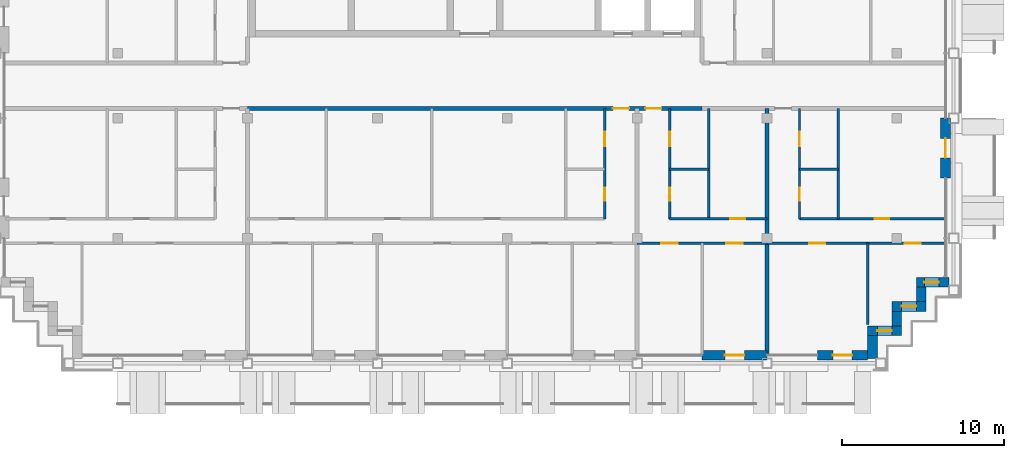
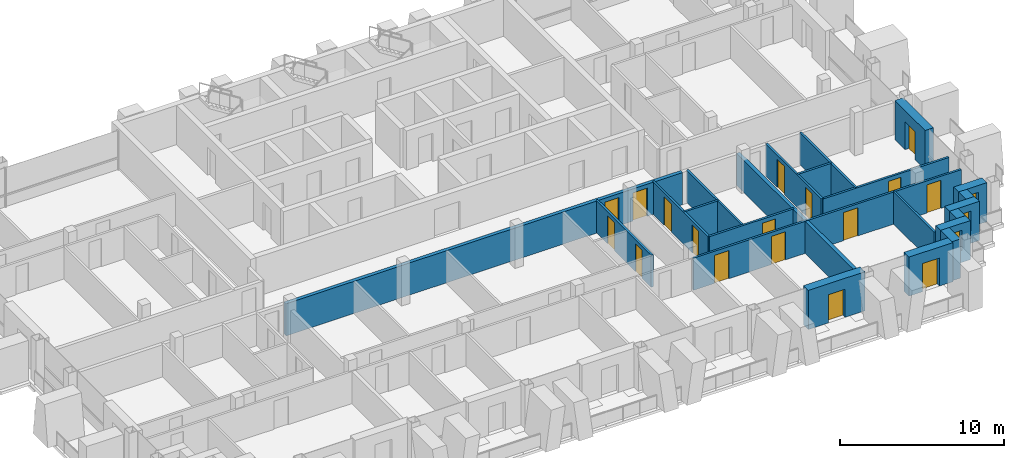
# One storey, part 9 of 15: 23 walls, 17 doors, 3 windows, 20 openings.
"""IFC4 building model written with IfcOpenShell, lengths in metres."""

from ifc_helpers import new_model, si_unit, direction, frame, frame_2d, origin, place, context, subcontext, project, spatial, rectangle, extrude, material, layer, layer_set, type_object, element, fill, save


model = new_model("IFC4")

# Units and contexts
model_context = context("Model", 3, precision=1e-05, world=origin(), true_north=direction((0.0, 1.0)))
body_context = subcontext(model_context, "Body", "Model", "MODEL_VIEW")
ifc_project = project(units=[si_unit("LENGTHUNIT", "METRE"), si_unit("AREAUNIT", "SQUARE_METRE"), si_unit("VOLUMEUNIT", "CUBIC_METRE"), si_unit("PLANEANGLEUNIT", "RADIAN"), si_unit("MASSUNIT", "GRAM", prefix="KILO")], contexts=[model_context])

# Site, building, storey
site_placement = place(None, origin())
site = spatial("IfcSite", under=ifc_project, at=site_placement, CompositionType="ELEMENT")
building_placement = place(site_placement, origin())
building = spatial("IfcBuilding", under=site, at=building_placement, Name="Vidyagriha Tower", CompositionType="ELEMENT")
storey_placement = place(building_placement, frame((0.0, 0.0, 214.0)))
storey = spatial("IfcBuildingStorey", under=building, at=storey_placement, Name="L55", CompositionType="ELEMENT", Elevation=214.0)

# Wall, opening, door
ifc_material_1 = material(Name="Precast concrete C40/50 with brick facing", Category="concrete")
ifc_layer_1 = layer(ifc_material_1, 0.60009765625)
ifc_layer_set_1 = layer_set([ifc_layer_1], Name="Precast concrete C40/50 with brick facing")
wall_type_1 = type_object("IfcWallType", Name="Brick-faced precast wall 600", PredefinedType="STANDARD", material=ifc_layer_set_1)
wall_1_placement = place(storey_placement, frame((14.0, -16.60009765625, 0.0)))
wall_1 = element("IfcWall", 1, at=wall_1_placement, inside=storey, type_object=wall_type_1, Name="Brick door bay wall L55 R23.11", PredefinedType="STANDARD", context=body_context, shape_type="SweptSolid", body=[
    extrude(rectangle(XDim=4.0, YDim=0.60009765625, at=frame_2d((2.0, 0.0))), origin(), (0.0, 0.0, 1.0), 2.919921875),
])
opening_1_placement = place(wall_1_placement, frame((1.39990234375, 0.0, 0.0)))
opening_1 = element("IfcOpeningElement", 2, at=opening_1_placement, cuts=wall_1, Name="Opening D55-66", PredefinedType="OPENING", context=body_context, shape_type="SweptSolid", body=[
    extrude(rectangle(XDim=1.199951171875, YDim=2.10009765625, at=frame_2d((0.60009765625, 1.050048828125))), frame((0.0, 0.31005859375, 0.0), z_axis=(0.0, -1.0, 0.0), x_axis=(1.0, 0.0, 0.0)), (0.0, 0.0, 1.0), 0.6201171875),
])
ifc_material_2 = material(Name="Aluminium framed glazed sliding door", Category="aluminium")
door_type_1 = type_object("IfcDoorType", Name="Balcony sliding door 1200x2100", OperationType="NOTDEFINED", PredefinedType="DOOR", material=ifc_material_2)
door_1_placement = place(opening_1_placement, origin())
door_1 = element("IfcDoor", 3, at=door_1_placement, inside=storey, type_object=door_type_1, Name="Door D55-66", OperationType="SLIDING_TO_LEFT", OverallHeight=2.10009765625, OverallWidth=1.199951171875, PredefinedType="DOOR", context=body_context, shape_type="SweptSolid", body=[
    extrude(rectangle(XDim=1.199951171875, YDim=2.10009765625, at=frame_2d((0.60009765625, 1.050048828125))), frame((0.0, 0.02490234375, 0.0), z_axis=(0.0, -1.0, 0.0), x_axis=(1.0, 0.0, 0.0)), (0.0, 0.0, 1.0), 0.050048828125),
])
fill(opening_1, door_1)

wall_2_placement = place(storey_placement, frame((21.10009765625, -16.60009765625, 0.0)))
wall_2 = element("IfcWall", 4, at=wall_2_placement, inside=storey, type_object=wall_type_1, Name="Brick door bay wall L55 R23.13", PredefinedType="STANDARD", context=body_context, shape_type="SweptSolid", body=[
    extrude(rectangle(XDim=3.099853515625, YDim=0.60009765625, at=frame_2d((1.5498046875, 0.0))), origin(), (0.0, 0.0, 1.0), 2.919921875),
])
opening_2_placement = place(wall_2_placement, frame((0.949951171875, 0.0, 0.0)))
opening_2 = element("IfcOpeningElement", 5, at=opening_2_placement, cuts=wall_2, Name="Opening D55-67", PredefinedType="OPENING", context=body_context, shape_type="SweptSolid", body=[
    extrude(rectangle(XDim=1.199951171875, YDim=2.10009765625, at=frame_2d((0.60009765625, 1.050048828125))), frame((0.0, 0.31005859375, 0.0), z_axis=(0.0, -1.0, 0.0), x_axis=(1.0, 0.0, 0.0)), (0.0, 0.0, 1.0), 0.6201171875),
])
door_2_placement = place(opening_2_placement, origin())
door_2 = element("IfcDoor", 6, at=door_2_placement, inside=storey, type_object=door_type_1, Name="Door D55-67", OperationType="SLIDING_TO_LEFT", OverallHeight=2.10009765625, OverallWidth=1.199951171875, PredefinedType="DOOR", context=body_context, shape_type="SweptSolid", body=[
    extrude(rectangle(XDim=1.199951171875, YDim=2.10009765625, at=frame_2d((0.60009765625, 1.050048828125))), frame((0.0, 0.02490234375, 0.0), z_axis=(0.0, -1.0, 0.0), x_axis=(1.0, 0.0, 0.0)), (0.0, 0.0, 1.0), 0.050048828125),
])
fill(opening_2, door_2)

# Wall
wall_3_placement = place(storey_placement, frame((24.5, -16.800048828125, 0.0), z_axis=(0.0, 0.0, 1.0), x_axis=(0.0, 1.0, 0.0)))
element("IfcWall", 7, at=wall_3_placement, inside=storey, type_object=wall_type_1, Name="Stepped corner wall L55 R24", PredefinedType="STANDARD", context=body_context, shape_type="SweptSolid", body=[
    extrude(rectangle(XDim=1.400146484375, YDim=0.60009765625, at=frame_2d((0.7001953125, 0.0))), origin(), (0.0, 0.0, 1.0), 2.919921875),
])

# Wall, opening, window
wall_4_placement = place(storey_placement, frame((24.199951171875, -15.10009765625, 0.0)))
wall_4 = element("IfcWall", 8, at=wall_4_placement, inside=storey, type_object=wall_type_1, Name="Stepped corner wall L55 R25", PredefinedType="STANDARD", context=body_context, shape_type="SweptSolid", body=[
    extrude(rectangle(XDim=2.10009765625, YDim=0.60009765625, at=frame_2d((1.050048828125, 0.0))), origin(), (0.0, 0.0, 1.0), 2.919921875),
])
opening_3_placement = place(wall_4_placement, frame((0.60009765625, 0.0, 0.89990234375)))
opening_3 = element("IfcOpeningElement", 9, at=opening_3_placement, cuts=wall_4, Name="Opening WN1", PredefinedType="OPENING", context=body_context, shape_type="SweptSolid", body=[
    extrude(rectangle(XDim=0.89990234375, YDim=1.5, at=frame_2d((0.449951171875, 0.75))), frame((0.0, 0.31005859375, 0.0), z_axis=(0.0, -1.0, 0.0), x_axis=(1.0, 0.0, 0.0)), (0.0, 0.0, 1.0), 0.6201171875),
])
ifc_material_3 = material(Name="Aluminium and glass window", Category="aluminium")
window_type = type_object("IfcWindowType", Name="Reveal window 900x1500", PartitioningType="NOTDEFINED", PredefinedType="WINDOW", material=ifc_material_3)
window_1_placement = place(opening_3_placement, origin())
window_1 = element("IfcWindow", 10, at=window_1_placement, inside=storey, type_object=window_type, Name="Reveal window L55 R25", OverallHeight=1.5, OverallWidth=0.89990234375, PartitioningType="SINGLE_PANEL", PredefinedType="WINDOW", context=body_context, shape_type="SweptSolid", body=[
    extrude(rectangle(XDim=0.89990234375, YDim=1.5, at=frame_2d((0.449951171875, 0.75))), frame((0.0, 0.030029296875, 0.0), z_axis=(0.0, -1.0, 0.0), x_axis=(1.0, 0.0, 0.0)), (0.0, 0.0, 1.0), 0.06005859375),
])
fill(opening_3, window_1)

# Wall
wall_5_placement = place(storey_placement, frame((26.0, -14.800048828125, 0.0), z_axis=(0.0, 0.0, 1.0), x_axis=(0.0, 1.0, 0.0)))
element("IfcWall", 11, at=wall_5_placement, inside=storey, type_object=wall_type_1, Name="Stepped corner wall L55 R26", PredefinedType="STANDARD", context=body_context, shape_type="SweptSolid", body=[
    extrude(rectangle(XDim=0.900146484375, YDim=0.60009765625, at=frame_2d((0.4501953125, 0.0))), origin(), (0.0, 0.0, 1.0), 2.919921875),
])

# Wall, opening, window
wall_6_placement = place(storey_placement, frame((25.699951171875, -13.60009765625, 0.0)))
wall_6 = element("IfcWall", 12, at=wall_6_placement, inside=storey, type_object=wall_type_1, Name="Stepped corner wall L55 R27", PredefinedType="STANDARD", context=body_context, shape_type="SweptSolid", body=[
    extrude(rectangle(XDim=2.10009765625, YDim=0.60009765625, at=frame_2d((1.050048828125, 0.0))), origin(), (0.0, 0.0, 1.0), 2.919921875),
])
opening_4_placement = place(wall_6_placement, frame((0.60009765625, 0.0, 0.89990234375)))
opening_4 = element("IfcOpeningElement", 13, at=opening_4_placement, cuts=wall_6, Name="Opening WN1", PredefinedType="OPENING", context=body_context, shape_type="SweptSolid", body=[
    extrude(rectangle(XDim=0.89990234375, YDim=1.5, at=frame_2d((0.449951171875, 0.75))), frame((0.0, 0.31005859375, 0.0), z_axis=(0.0, -1.0, 0.0), x_axis=(1.0, 0.0, 0.0)), (0.0, 0.0, 1.0), 0.6201171875),
])
window_2_placement = place(opening_4_placement, origin())
window_2 = element("IfcWindow", 14, at=window_2_placement, inside=storey, type_object=window_type, Name="Reveal window L55 R27", OverallHeight=1.5, OverallWidth=0.89990234375, PartitioningType="SINGLE_PANEL", PredefinedType="WINDOW", context=body_context, shape_type="SweptSolid", body=[
    extrude(rectangle(XDim=0.89990234375, YDim=1.5, at=frame_2d((0.449951171875, 0.75))), frame((0.0, 0.030029296875, 0.0), z_axis=(0.0, -1.0, 0.0), x_axis=(1.0, 0.0, 0.0)), (0.0, 0.0, 1.0), 0.06005859375),
])
fill(opening_4, window_2)

# Wall
wall_7_placement = place(storey_placement, frame((27.5, -13.300048828125, 0.0), z_axis=(0.0, 0.0, 1.0), x_axis=(0.0, 1.0, 0.0)))
element("IfcWall", 15, at=wall_7_placement, inside=storey, type_object=wall_type_1, Name="Stepped corner wall L55 R28", PredefinedType="STANDARD", context=body_context, shape_type="SweptSolid", body=[
    extrude(rectangle(XDim=0.900146484375, YDim=0.60009765625, at=frame_2d((0.4501953125, 0.0))), origin(), (0.0, 0.0, 1.0), 2.919921875),
])

# Wall, opening, window
wall_8_placement = place(storey_placement, frame((27.199951171875, -12.10009765625, 0.0)))
wall_8 = element("IfcWall", 16, at=wall_8_placement, inside=storey, type_object=wall_type_1, Name="Stepped corner wall L55 R29", PredefinedType="STANDARD", context=body_context, shape_type="SweptSolid", body=[
    extrude(rectangle(XDim=2.0, YDim=0.60009765625, at=frame_2d((1.0, 0.0))), origin(), (0.0, 0.0, 1.0), 2.919921875),
])
opening_5_placement = place(wall_8_placement, frame((0.489990234375, 0.0, 0.89990234375)))
opening_5 = element("IfcOpeningElement", 17, at=opening_5_placement, cuts=wall_8, Name="Opening WN1", PredefinedType="OPENING", context=body_context, shape_type="SweptSolid", body=[
    extrude(rectangle(XDim=0.89990234375, YDim=1.5, at=frame_2d((0.449951171875, 0.75))), frame((0.0, 0.31005859375, 0.0), z_axis=(0.0, -1.0, 0.0), x_axis=(1.0, 0.0, 0.0)), (0.0, 0.0, 1.0), 0.6201171875),
])
window_3_placement = place(opening_5_placement, origin())
window_3 = element("IfcWindow", 18, at=window_3_placement, inside=storey, type_object=window_type, Name="Reveal window L55 R29", OverallHeight=1.5, OverallWidth=0.89990234375, PartitioningType="SINGLE_PANEL", PredefinedType="WINDOW", context=body_context, shape_type="SweptSolid", body=[
    extrude(rectangle(XDim=0.89990234375, YDim=1.5, at=frame_2d((0.449951171875, 0.75))), frame((0.0, 0.030029296875, 0.0), z_axis=(0.0, -1.0, 0.0), x_axis=(1.0, 0.0, 0.0)), (0.0, 0.0, 1.0), 0.06005859375),
])
fill(opening_5, window_3)

# Wall, opening, door
wall_9_placement = place(storey_placement, frame((29.0, -5.699951171875, 0.0), z_axis=(0.0, 0.0, 1.0), x_axis=(0.0, 1.0, 0.0)))
wall_9 = element("IfcWall", 19, at=wall_9_placement, inside=storey, type_object=wall_type_1, Name="Brick door bay wall L55 R30.3", PredefinedType="STANDARD", context=body_context, shape_type="SweptSolid", body=[
    extrude(rectangle(XDim=3.699951171875, YDim=0.60009765625, at=frame_2d((1.85009765625, 0.0))), origin(), (0.0, 0.0, 1.0), 2.919921875),
])
opening_6_placement = place(wall_9_placement, frame((1.25, 0.0, 0.0)))
opening_6 = element("IfcOpeningElement", 20, at=opening_6_placement, cuts=wall_9, Name="Opening D55-68", PredefinedType="OPENING", context=body_context, shape_type="SweptSolid", body=[
    extrude(rectangle(XDim=1.199951171875, YDim=2.10009765625, at=frame_2d((0.60009765625, 1.050048828125))), frame((0.0, 0.31005859375, 0.0), z_axis=(0.0, -1.0, 0.0), x_axis=(1.0, 0.0, 0.0)), (0.0, 0.0, 1.0), 0.6201171875),
])
door_3_placement = place(opening_6_placement, origin())
door_3 = element("IfcDoor", 21, at=door_3_placement, inside=storey, type_object=door_type_1, Name="Door D55-68", OperationType="SLIDING_TO_LEFT", OverallHeight=2.10009765625, OverallWidth=1.199951171875, PredefinedType="DOOR", context=body_context, shape_type="SweptSolid", body=[
    extrude(rectangle(XDim=1.199951171875, YDim=2.10009765625, at=frame_2d((0.60009765625, 1.050048828125))), frame((0.0, 0.02490234375, 0.0), z_axis=(0.0, -1.0, 0.0), x_axis=(1.0, 0.0, 0.0)), (0.0, 0.0, 1.0), 0.050048828125),
])
fill(opening_6, door_3)

# Wall, openings, doors
ifc_material_4 = material(Name="Fired clay brick masonry", Category="masonry")
ifc_layer_2 = layer(ifc_material_4, 0.25)
ifc_layer_set_2 = layer_set([ifc_layer_2], Name="Fired clay brick masonry")
wall_type_2 = type_object("IfcWallType", Name="Fired clay brick corridor wall 250", PredefinedType="PARTITIONING", material=ifc_layer_set_2)
wall_10_placement = place(storey_placement, frame((14.0, -1.39990234375, 0.0), z_axis=(0.0, 0.0, 1.0), x_axis=(-1.0, 0.0, 0.0)))
wall_10 = element("IfcWall", 22, at=wall_10_placement, inside=storey, type_object=wall_type_2, Name="Wall all-L55-w098", PredefinedType="PARTITIONING", context=body_context, shape_type="SweptSolid", body=[
    extrude(rectangle(XDim=28.0, YDim=0.25, at=frame_2d((14.0, 0.0))), origin(), (0.0, 0.0, 1.0), 2.39990234375),
])
opening_7_placement = place(wall_10_placement, frame((4.5, 0.0, 0.0)))
opening_7 = element("IfcOpeningElement", 23, at=opening_7_placement, cuts=wall_10, Name="Opening D55-32", PredefinedType="OPENING", context=body_context, shape_type="SweptSolid", body=[
    extrude(rectangle(XDim=1.0, YDim=2.10009765625, at=frame_2d((0.5, 1.050048828125))), frame((0.0, 0.135009765625, 0.0), z_axis=(0.0, -1.0, 0.0), x_axis=(1.0, 0.0, 0.0)), (0.0, 0.0, 1.0), 0.27001953125),
])
opening_8_placement = place(wall_10_placement, frame((2.5, 0.0, 0.0)))
opening_8 = element("IfcOpeningElement", 24, at=opening_8_placement, cuts=wall_10, Name="Opening D55-38", PredefinedType="OPENING", context=body_context, shape_type="SweptSolid", body=[
    extrude(rectangle(XDim=1.0, YDim=2.10009765625, at=frame_2d((0.5, 1.050048828125))), frame((0.0, 0.135009765625, 0.0), z_axis=(0.0, -1.0, 0.0), x_axis=(1.0, 0.0, 0.0)), (0.0, 0.0, 1.0), 0.27001953125),
])
ifc_material_5 = material(Name="Fire-rated timber door leaf EI 60", Category="wood")
door_type_2 = type_object("IfcDoorType", Name="Flat entrance fire door 1000x2100", OperationType="NOTDEFINED", PredefinedType="DOOR", material=ifc_material_5)
door_4_placement = place(opening_7_placement, origin())
door_4 = element("IfcDoor", 25, at=door_4_placement, inside=storey, type_object=door_type_2, Name="Door D55-32", OperationType="SINGLE_SWING_LEFT", OverallHeight=2.10009765625, OverallWidth=1.0, PredefinedType="DOOR", context=body_context, shape_type="SweptSolid", body=[
    extrude(rectangle(XDim=1.0, YDim=2.10009765625, at=frame_2d((0.5, 1.050048828125))), frame((0.0, 0.02490234375, 0.0), z_axis=(0.0, -1.0, 0.0), x_axis=(1.0, 0.0, 0.0)), (0.0, 0.0, 1.0), 0.050048828125),
])
fill(opening_7, door_4)
door_5_placement = place(opening_8_placement, origin())
door_5 = element("IfcDoor", 26, at=door_5_placement, inside=storey, type_object=door_type_2, Name="Door D55-38", OperationType="SINGLE_SWING_RIGHT", OverallHeight=2.10009765625, OverallWidth=1.0, PredefinedType="DOOR", context=body_context, shape_type="SweptSolid", body=[
    extrude(rectangle(XDim=1.0, YDim=2.10009765625, at=frame_2d((0.5, 1.050048828125))), frame((0.0, 0.02490234375, 0.0), z_axis=(0.0, -1.0, 0.0), x_axis=(1.0, 0.0, 0.0)), (0.0, 0.0, 1.0), 0.050048828125),
])
fill(opening_8, door_5)

# Walls
ifc_material_6 = material(Name="Fired clay brick masonry", Category="masonry")
ifc_layer_3 = layer(ifc_material_6, 0.25)
ifc_layer_set_3 = layer_set([ifc_layer_3], Name="Fired clay brick masonry")
wall_type_3 = type_object("IfcWallType", Name="Fired clay brick demising wall 250", PredefinedType="PARTITIONING", material=ifc_layer_set_3)
wall_11_placement = place(storey_placement, frame((18.0, -1.39990234375, 0.0), z_axis=(0.0, 0.0, 1.0), x_axis=(0.0, -1.0, 0.0)))
element("IfcWall", 27, at=wall_11_placement, inside=storey, type_object=wall_type_3, Name="Wall all-L55-w063", PredefinedType="PARTITIONING", context=body_context, shape_type="SweptSolid", body=[
    extrude(rectangle(XDim=15.110107421875, YDim=0.25, at=frame_2d((7.55517578125, 0.0))), origin(), (0.0, 0.0, 1.0), 2.39990234375),
])
ifc_material_7 = material(Name="Gypsum board partition")
ifc_layer_4 = layer(ifc_material_7, 0.14990234375)
ifc_layer_set_4 = layer_set([ifc_layer_4], Name="Gypsum board partition")
wall_type_4 = type_object("IfcWallType", Name="Gypsum board partition 150", PredefinedType="PARTITIONING", material=ifc_layer_set_4)
wall_12_placement = place(storey_placement, frame((14.39990234375, -5.14990234375, 0.0), z_axis=(0.0, 0.0, 1.0), x_axis=(-1.0, 0.0, 0.0)))
element("IfcWall", 28, at=wall_12_placement, inside=storey, type_object=wall_type_4, Name="Wall all-L55-w041", PredefinedType="PARTITIONING", context=body_context, shape_type="SweptSolid", body=[
    extrude(rectangle(XDim=2.39990234375, YDim=0.14990234375, at=frame_2d((1.199951171875, 0.0))), origin(), (0.0, 0.0, 1.0), 2.39990234375),
])
wall_13_placement = place(storey_placement, frame((14.39990234375, -1.39990234375, 0.0), z_axis=(0.0, 0.0, 1.0), x_axis=(0.0, -1.0, 0.0)))
element("IfcWall", 29, at=wall_13_placement, inside=storey, type_object=wall_type_4, Name="Wall all-L55-w042", PredefinedType="PARTITIONING", context=body_context, shape_type="SweptSolid", body=[
    extrude(rectangle(XDim=6.800048828125, YDim=0.14990234375, at=frame_2d((3.39990234375, 0.0))), origin(), (0.0, 0.0, 1.0), 2.39990234375),
])

# Wall, opening, door
wall_14_placement = place(storey_placement, frame((12.0, -8.199951171875, 0.0)))
wall_14 = element("IfcWall", 30, at=wall_14_placement, inside=storey, type_object=wall_type_4, Name="Wall all-L55-w043", PredefinedType="PARTITIONING", context=body_context, shape_type="SweptSolid", body=[
    extrude(rectangle(XDim=6.0, YDim=0.14990234375, at=frame_2d((3.0, 0.0))), origin(), (0.0, 0.0, 1.0), 2.39990234375),
])
opening_9_placement = place(wall_14_placement, frame((3.75, 0.0, 0.0)))
opening_9 = element("IfcOpeningElement", 31, at=opening_9_placement, cuts=wall_14, Name="Opening D55-35", PredefinedType="OPENING", context=body_context, shape_type="SweptSolid", body=[
    extrude(rectangle(XDim=0.89990234375, YDim=2.10009765625, at=frame_2d((0.449951171875, 1.050048828125))), frame((0.0, 0.0849609375, 0.0), z_axis=(0.0, -1.0, 0.0), x_axis=(1.0, 0.0, 0.0)), (0.0, 0.0, 1.0), 0.169921875),
])
ifc_material_8 = material(Name="Timber door leaf", Category="wood")
door_type_3 = type_object("IfcDoorType", Name="Room door 900x2100", OperationType="NOTDEFINED", PredefinedType="DOOR", material=ifc_material_8)
door_6_placement = place(opening_9_placement, origin())
door_6 = element("IfcDoor", 32, at=door_6_placement, inside=storey, type_object=door_type_3, Name="Door D55-35", OperationType="SINGLE_SWING_LEFT", OverallHeight=2.10009765625, OverallWidth=0.89990234375, PredefinedType="DOOR", context=body_context, shape_type="SweptSolid", body=[
    extrude(rectangle(XDim=0.89990234375, YDim=2.10009765625, at=frame_2d((0.449951171875, 1.050048828125))), frame((0.0, 0.02490234375, 0.0), z_axis=(0.0, -1.0, 0.0), x_axis=(1.0, 0.0, 0.0)), (0.0, 0.0, 1.0), 0.050048828125),
])
fill(opening_9, door_6)

# Wall, openings, doors
wall_15_placement = place(storey_placement, frame((18.0, -9.699951171875, 0.0), z_axis=(0.0, 0.0, 1.0), x_axis=(-1.0, 0.0, 0.0)))
wall_15 = element("IfcWall", 33, at=wall_15_placement, inside=storey, type_object=wall_type_4, Name="Wall all-L55-w045", PredefinedType="PARTITIONING", context=body_context, shape_type="SweptSolid", body=[
    extrude(rectangle(XDim=8.0, YDim=0.14990234375, at=frame_2d((4.0, 0.0))), origin(), (0.0, 0.0, 1.0), 2.39990234375),
])
opening_10_placement = place(wall_15_placement, frame((5.5, 0.0, 0.0)))
opening_10 = element("IfcOpeningElement", 34, at=opening_10_placement, cuts=wall_15, Name="Opening D55-36", PredefinedType="OPENING", context=body_context, shape_type="SweptSolid", body=[
    extrude(rectangle(XDim=1.0, YDim=2.10009765625, at=frame_2d((0.5, 1.050048828125))), frame((0.0, 0.0849609375, 0.0), z_axis=(0.0, -1.0, 0.0), x_axis=(1.0, 0.0, 0.0)), (0.0, 0.0, 1.0), 0.169921875),
])
opening_11_placement = place(wall_15_placement, frame((1.5, 0.0, 0.0)))
opening_11 = element("IfcOpeningElement", 35, at=opening_11_placement, cuts=wall_15, Name="Opening D55-37", PredefinedType="OPENING", context=body_context, shape_type="SweptSolid", body=[
    extrude(rectangle(XDim=1.0, YDim=2.10009765625, at=frame_2d((0.5, 1.050048828125))), frame((0.0, 0.0849609375, 0.0), z_axis=(0.0, -1.0, 0.0), x_axis=(1.0, 0.0, 0.0)), (0.0, 0.0, 1.0), 0.169921875),
])
ifc_material_9 = material(Name="Timber door leaf", Category="wood")
door_type_4 = type_object("IfcDoorType", Name="Room door 1000x2100", OperationType="NOTDEFINED", PredefinedType="DOOR", material=ifc_material_9)
door_7_placement = place(opening_10_placement, origin())
door_7 = element("IfcDoor", 36, at=door_7_placement, inside=storey, type_object=door_type_4, Name="Door D55-36", OperationType="SINGLE_SWING_RIGHT", OverallHeight=2.10009765625, OverallWidth=1.0, PredefinedType="DOOR", context=body_context, shape_type="SweptSolid", body=[
    extrude(rectangle(XDim=1.0, YDim=2.10009765625, at=frame_2d((0.5, 1.050048828125))), frame((0.0, 0.02490234375, 0.0), z_axis=(0.0, -1.0, 0.0), x_axis=(1.0, 0.0, 0.0)), (0.0, 0.0, 1.0), 0.050048828125),
])
fill(opening_10, door_7)
door_8_placement = place(opening_11_placement, origin())
door_8 = element("IfcDoor", 37, at=door_8_placement, inside=storey, type_object=door_type_4, Name="Door D55-37", OperationType="SINGLE_SWING_RIGHT", OverallHeight=2.10009765625, OverallWidth=1.0, PredefinedType="DOOR", context=body_context, shape_type="SweptSolid", body=[
    extrude(rectangle(XDim=1.0, YDim=2.10009765625, at=frame_2d((0.5, 1.050048828125))), frame((0.0, 0.02490234375, 0.0), z_axis=(0.0, -1.0, 0.0), x_axis=(1.0, 0.0, 0.0)), (0.0, 0.0, 1.0), 0.050048828125),
])
fill(opening_11, door_8)

# Walls
wall_16_placement = place(storey_placement, frame((22.39990234375, -5.14990234375, 0.0), z_axis=(0.0, 0.0, 1.0), x_axis=(-1.0, 0.0, 0.0)))
element("IfcWall", 38, at=wall_16_placement, inside=storey, type_object=wall_type_4, Name="Wall all-L55-w054", PredefinedType="PARTITIONING", context=body_context, shape_type="SweptSolid", body=[
    extrude(rectangle(XDim=2.39990234375, YDim=0.14990234375, at=frame_2d((1.199951171875, 0.0))), origin(), (0.0, 0.0, 1.0), 2.39990234375),
])
wall_17_placement = place(storey_placement, frame((22.39990234375, -1.39990234375, 0.0), z_axis=(0.0, 0.0, 1.0), x_axis=(0.0, -1.0, 0.0)))
element("IfcWall", 39, at=wall_17_placement, inside=storey, type_object=wall_type_4, Name="Wall all-L55-w055", PredefinedType="PARTITIONING", context=body_context, shape_type="SweptSolid", body=[
    extrude(rectangle(XDim=6.800048828125, YDim=0.14990234375, at=frame_2d((3.39990234375, 0.0))), origin(), (0.0, 0.0, 1.0), 2.39990234375),
])

# Wall, opening, door
wall_18_placement = place(storey_placement, frame((20.0, -8.199951171875, 0.0)))
wall_18 = element("IfcWall", 40, at=wall_18_placement, inside=storey, type_object=wall_type_4, Name="Wall all-L55-w056", PredefinedType="PARTITIONING", context=body_context, shape_type="SweptSolid", body=[
    extrude(rectangle(XDim=8.919921875, YDim=0.14990234375, at=frame_2d((4.4599609375, 0.0))), origin(), (0.0, 0.0, 1.0), 2.39990234375),
])
opening_12_placement = place(wall_18_placement, frame((4.6240234375, 0.0, 0.0)))
opening_12 = element("IfcOpeningElement", 41, at=opening_12_placement, cuts=wall_18, Name="Opening D55-41", PredefinedType="OPENING", context=body_context, shape_type="SweptSolid", body=[
    extrude(rectangle(XDim=0.89990234375, YDim=2.10009765625, at=frame_2d((0.449951171875, 1.050048828125))), frame((0.0, 0.0849609375, 0.0), z_axis=(0.0, -1.0, 0.0), x_axis=(1.0, 0.0, 0.0)), (0.0, 0.0, 1.0), 0.169921875),
])
door_9_placement = place(opening_12_placement, origin())
door_9 = element("IfcDoor", 42, at=door_9_placement, inside=storey, type_object=door_type_3, Name="Door D55-41", OperationType="SINGLE_SWING_LEFT", OverallHeight=2.10009765625, OverallWidth=0.89990234375, PredefinedType="DOOR", context=body_context, shape_type="SweptSolid", body=[
    extrude(rectangle(XDim=0.89990234375, YDim=2.10009765625, at=frame_2d((0.449951171875, 1.050048828125))), frame((0.0, 0.02490234375, 0.0), z_axis=(0.0, -1.0, 0.0), x_axis=(1.0, 0.0, 0.0)), (0.0, 0.0, 1.0), 0.050048828125),
])
fill(opening_12, door_9)

# Wall, openings, doors
wall_19_placement = place(storey_placement, frame((28.919921875, -9.699951171875, 0.0), z_axis=(0.0, 0.0, 1.0), x_axis=(-1.0, 0.0, 0.0)))
wall_19 = element("IfcWall", 43, at=wall_19_placement, inside=storey, type_object=wall_type_4, Name="Wall all-L55-w058", PredefinedType="PARTITIONING", context=body_context, shape_type="SweptSolid", body=[
    extrude(rectangle(XDim=10.919921875, YDim=0.14990234375, at=frame_2d((5.4599609375, 0.0))), origin(), (0.0, 0.0, 1.0), 2.39990234375),
])
opening_13_placement = place(wall_19_placement, frame((7.320068359375, 0.0, 0.0)))
opening_13 = element("IfcOpeningElement", 44, at=opening_13_placement, cuts=wall_19, Name="Opening D55-42", PredefinedType="OPENING", context=body_context, shape_type="SweptSolid", body=[
    extrude(rectangle(XDim=1.0, YDim=2.10009765625, at=frame_2d((0.5, 1.050048828125))), frame((0.0, 0.0849609375, 0.0), z_axis=(0.0, -1.0, 0.0), x_axis=(1.0, 0.0, 0.0)), (0.0, 0.0, 1.0), 0.169921875),
])
opening_14_placement = place(wall_19_placement, frame((1.444091796875, 0.0, 0.0)))
opening_14 = element("IfcOpeningElement", 45, at=opening_14_placement, cuts=wall_19, Name="Opening D55-43", PredefinedType="OPENING", context=body_context, shape_type="SweptSolid", body=[
    extrude(rectangle(XDim=1.0, YDim=2.10009765625, at=frame_2d((0.5, 1.050048828125))), frame((0.0, 0.0849609375, 0.0), z_axis=(0.0, -1.0, 0.0), x_axis=(1.0, 0.0, 0.0)), (0.0, 0.0, 1.0), 0.169921875),
])
door_10_placement = place(opening_13_placement, origin())
door_10 = element("IfcDoor", 46, at=door_10_placement, inside=storey, type_object=door_type_4, Name="Door D55-42", OperationType="SINGLE_SWING_LEFT", OverallHeight=2.10009765625, OverallWidth=1.0, PredefinedType="DOOR", context=body_context, shape_type="SweptSolid", body=[
    extrude(rectangle(XDim=1.0, YDim=2.10009765625, at=frame_2d((0.5, 1.050048828125))), frame((0.0, 0.02490234375, 0.0), z_axis=(0.0, -1.0, 0.0), x_axis=(1.0, 0.0, 0.0)), (0.0, 0.0, 1.0), 0.050048828125),
])
fill(opening_13, door_10)
door_11_placement = place(opening_14_placement, origin())
door_11 = element("IfcDoor", 47, at=door_11_placement, inside=storey, type_object=door_type_4, Name="Door D55-43", OperationType="SINGLE_SWING_LEFT", OverallHeight=2.10009765625, OverallWidth=1.0, PredefinedType="DOOR", context=body_context, shape_type="SweptSolid", body=[
    extrude(rectangle(XDim=1.0, YDim=2.10009765625, at=frame_2d((0.5, 1.050048828125))), frame((0.0, 0.02490234375, 0.0), z_axis=(0.0, -1.0, 0.0), x_axis=(1.0, 0.0, 0.0)), (0.0, 0.0, 1.0), 0.050048828125),
])
fill(opening_14, door_11)

# Wall
wall_20_placement = place(storey_placement, frame((24.199951171875, -9.699951171875, 0.0), z_axis=(0.0, 0.0, 1.0), x_axis=(0.0, -1.0, 0.0)))
element("IfcWall", 48, at=wall_20_placement, inside=storey, type_object=wall_type_4, Name="Wall all-L55-w061", PredefinedType="PARTITIONING", context=body_context, shape_type="SweptSolid", body=[
    extrude(rectangle(XDim=5.02001953125, YDim=0.14990234375, at=frame_2d((2.510009765625, 0.0))), origin(), (0.0, 0.0, 1.0), 2.39990234375),
])

# Wall, openings, doors
ifc_material_10 = material(Name="Moisture resistant gypsum board partition")
ifc_layer_5 = layer(ifc_material_10, 0.14990234375)
ifc_layer_set_5 = layer_set([ifc_layer_5], Name="Moisture resistant gypsum board partition")
wall_type_5 = type_object("IfcWallType", Name="Gypsum board wet-area partition 150", PredefinedType="PARTITIONING", material=ifc_layer_set_5)
wall_21_placement = place(storey_placement, frame((8.0, -8.199951171875, 0.0), z_axis=(0.0, 0.0, 1.0), x_axis=(0.0, 1.0, 0.0)))
wall_21 = element("IfcWall", 49, at=wall_21_placement, inside=storey, type_object=wall_type_5, Name="Wall all-L55-w015", PredefinedType="PARTITIONING", context=body_context, shape_type="SweptSolid", body=[
    extrude(rectangle(XDim=6.800048828125, YDim=0.14990234375, at=frame_2d((3.39990234375, 0.0))), origin(), (0.0, 0.0, 1.0), 2.39990234375),
])
opening_15_placement = place(wall_21_placement, frame((4.47509765625, 0.0, 0.0)))
opening_15 = element("IfcOpeningElement", 50, at=opening_15_placement, cuts=wall_21, Name="Opening D55-22", PredefinedType="OPENING", context=body_context, shape_type="SweptSolid", body=[
    extrude(rectangle(XDim=0.89990234375, YDim=2.10009765625, at=frame_2d((0.449951171875, 1.050048828125))), frame((0.0, 0.0849609375, 0.0), z_axis=(0.0, -1.0, 0.0), x_axis=(1.0, 0.0, 0.0)), (0.0, 0.0, 1.0), 0.169921875),
])
opening_16_placement = place(wall_21_placement, frame((1.125, 0.0, 0.0)))
opening_16 = element("IfcOpeningElement", 51, at=opening_16_placement, cuts=wall_21, Name="Opening D55-23", PredefinedType="OPENING", context=body_context, shape_type="SweptSolid", body=[
    extrude(rectangle(XDim=0.800048828125, YDim=2.10009765625, at=frame_2d((0.39990234375, 1.050048828125))), frame((0.0, 0.0849609375, 0.0), z_axis=(0.0, -1.0, 0.0), x_axis=(1.0, 0.0, 0.0)), (0.0, 0.0, 1.0), 0.169921875),
])
ifc_material_11 = material(Name="Timber door leaf", Category="wood")
door_type_5 = type_object("IfcDoorType", Name="Bathroom door 800x2100", OperationType="NOTDEFINED", PredefinedType="DOOR", material=ifc_material_11)
door_12_placement = place(opening_16_placement, origin())
door_12 = element("IfcDoor", 52, at=door_12_placement, inside=storey, type_object=door_type_5, Name="Door D55-23", OperationType="SINGLE_SWING_RIGHT", OverallHeight=2.10009765625, OverallWidth=0.800048828125, PredefinedType="DOOR", context=body_context, shape_type="SweptSolid", body=[
    extrude(rectangle(XDim=0.800048828125, YDim=2.10009765625, at=frame_2d((0.39990234375, 1.050048828125))), frame((0.0, 0.02490234375, 0.0), z_axis=(0.0, -1.0, 0.0), x_axis=(1.0, 0.0, 0.0)), (0.0, 0.0, 1.0), 0.050048828125),
])
fill(opening_16, door_12)
ifc_material_12 = material(Name="Timber door leaf", Category="wood")
door_type_6 = type_object("IfcDoorType", Name="Kitchen door 900x2100", OperationType="NOTDEFINED", PredefinedType="DOOR", material=ifc_material_12)
door_13_placement = place(opening_15_placement, origin())
door_13 = element("IfcDoor", 53, at=door_13_placement, inside=storey, type_object=door_type_6, Name="Door D55-22", OperationType="SINGLE_SWING_LEFT", OverallHeight=2.10009765625, OverallWidth=0.89990234375, PredefinedType="DOOR", context=body_context, shape_type="SweptSolid", body=[
    extrude(rectangle(XDim=0.89990234375, YDim=2.10009765625, at=frame_2d((0.449951171875, 1.050048828125))), frame((0.0, 0.02490234375, 0.0), z_axis=(0.0, -1.0, 0.0), x_axis=(1.0, 0.0, 0.0)), (0.0, 0.0, 1.0), 0.050048828125),
])
fill(opening_15, door_13)

wall_22_placement = place(storey_placement, frame((12.0, -1.39990234375, 0.0), z_axis=(0.0, 0.0, 1.0), x_axis=(0.0, -1.0, 0.0)))
wall_22 = element("IfcWall", 54, at=wall_22_placement, inside=storey, type_object=wall_type_5, Name="Wall all-L55-w038", PredefinedType="PARTITIONING", context=body_context, shape_type="SweptSolid", body=[
    extrude(rectangle(XDim=6.800048828125, YDim=0.14990234375, at=frame_2d((3.39990234375, 0.0))), origin(), (0.0, 0.0, 1.0), 2.39990234375),
])
opening_17_placement = place(wall_22_placement, frame((1.425048828125, 0.0, 0.0)))
opening_17 = element("IfcOpeningElement", 55, at=opening_17_placement, cuts=wall_22, Name="Opening D55-33", PredefinedType="OPENING", context=body_context, shape_type="SweptSolid", body=[
    extrude(rectangle(XDim=0.89990234375, YDim=2.10009765625, at=frame_2d((0.449951171875, 1.050048828125))), frame((0.0, 0.0849609375, 0.0), z_axis=(0.0, -1.0, 0.0), x_axis=(1.0, 0.0, 0.0)), (0.0, 0.0, 1.0), 0.169921875),
])
opening_18_placement = place(wall_22_placement, frame((4.875, 0.0, 0.0)))
opening_18 = element("IfcOpeningElement", 56, at=opening_18_placement, cuts=wall_22, Name="Opening D55-34", PredefinedType="OPENING", context=body_context, shape_type="SweptSolid", body=[
    extrude(rectangle(XDim=0.800048828125, YDim=2.10009765625, at=frame_2d((0.39990234375, 1.050048828125))), frame((0.0, 0.0849609375, 0.0), z_axis=(0.0, -1.0, 0.0), x_axis=(1.0, 0.0, 0.0)), (0.0, 0.0, 1.0), 0.169921875),
])
door_14_placement = place(opening_18_placement, origin())
door_14 = element("IfcDoor", 57, at=door_14_placement, inside=storey, type_object=door_type_5, Name="Door D55-34", OperationType="SINGLE_SWING_RIGHT", OverallHeight=2.10009765625, OverallWidth=0.800048828125, PredefinedType="DOOR", context=body_context, shape_type="SweptSolid", body=[
    extrude(rectangle(XDim=0.800048828125, YDim=2.10009765625, at=frame_2d((0.39990234375, 1.050048828125))), frame((0.0, 0.02490234375, 0.0), z_axis=(0.0, -1.0, 0.0), x_axis=(1.0, 0.0, 0.0)), (0.0, 0.0, 1.0), 0.050048828125),
])
fill(opening_18, door_14)
door_15_placement = place(opening_17_placement, origin())
door_15 = element("IfcDoor", 58, at=door_15_placement, inside=storey, type_object=door_type_6, Name="Door D55-33", OperationType="SINGLE_SWING_LEFT", OverallHeight=2.10009765625, OverallWidth=0.89990234375, PredefinedType="DOOR", context=body_context, shape_type="SweptSolid", body=[
    extrude(rectangle(XDim=0.89990234375, YDim=2.10009765625, at=frame_2d((0.449951171875, 1.050048828125))), frame((0.0, 0.02490234375, 0.0), z_axis=(0.0, -1.0, 0.0), x_axis=(1.0, 0.0, 0.0)), (0.0, 0.0, 1.0), 0.050048828125),
])
fill(opening_17, door_15)

wall_23_placement = place(storey_placement, frame((20.0, -1.39990234375, 0.0), z_axis=(0.0, 0.0, 1.0), x_axis=(0.0, -1.0, 0.0)))
wall_23 = element("IfcWall", 59, at=wall_23_placement, inside=storey, type_object=wall_type_5, Name="Wall all-L55-w051", PredefinedType="PARTITIONING", context=body_context, shape_type="SweptSolid", body=[
    extrude(rectangle(XDim=6.800048828125, YDim=0.14990234375, at=frame_2d((3.39990234375, 0.0))), origin(), (0.0, 0.0, 1.0), 2.39990234375),
])
opening_19_placement = place(wall_23_placement, frame((1.425048828125, 0.0, 0.0)))
opening_19 = element("IfcOpeningElement", 60, at=opening_19_placement, cuts=wall_23, Name="Opening D55-39", PredefinedType="OPENING", context=body_context, shape_type="SweptSolid", body=[
    extrude(rectangle(XDim=0.89990234375, YDim=2.10009765625, at=frame_2d((0.449951171875, 1.050048828125))), frame((0.0, 0.0849609375, 0.0), z_axis=(0.0, -1.0, 0.0), x_axis=(1.0, 0.0, 0.0)), (0.0, 0.0, 1.0), 0.169921875),
])
opening_20_placement = place(wall_23_placement, frame((4.875, 0.0, 0.0)))
opening_20 = element("IfcOpeningElement", 61, at=opening_20_placement, cuts=wall_23, Name="Opening D55-40", PredefinedType="OPENING", context=body_context, shape_type="SweptSolid", body=[
    extrude(rectangle(XDim=0.800048828125, YDim=2.10009765625, at=frame_2d((0.39990234375, 1.050048828125))), frame((0.0, 0.0849609375, 0.0), z_axis=(0.0, -1.0, 0.0), x_axis=(1.0, 0.0, 0.0)), (0.0, 0.0, 1.0), 0.169921875),
])
door_16_placement = place(opening_20_placement, origin())
door_16 = element("IfcDoor", 62, at=door_16_placement, inside=storey, type_object=door_type_5, Name="Door D55-40", OperationType="SINGLE_SWING_RIGHT", OverallHeight=2.10009765625, OverallWidth=0.800048828125, PredefinedType="DOOR", context=body_context, shape_type="SweptSolid", body=[
    extrude(rectangle(XDim=0.800048828125, YDim=2.10009765625, at=frame_2d((0.39990234375, 1.050048828125))), frame((0.0, 0.02490234375, 0.0), z_axis=(0.0, -1.0, 0.0), x_axis=(1.0, 0.0, 0.0)), (0.0, 0.0, 1.0), 0.050048828125),
])
fill(opening_20, door_16)
door_17_placement = place(opening_19_placement, origin())
door_17 = element("IfcDoor", 63, at=door_17_placement, inside=storey, type_object=door_type_6, Name="Door D55-39", OperationType="SINGLE_SWING_LEFT", OverallHeight=2.10009765625, OverallWidth=0.89990234375, PredefinedType="DOOR", context=body_context, shape_type="SweptSolid", body=[
    extrude(rectangle(XDim=0.89990234375, YDim=2.10009765625, at=frame_2d((0.449951171875, 1.050048828125))), frame((0.0, 0.02490234375, 0.0), z_axis=(0.0, -1.0, 0.0), x_axis=(1.0, 0.0, 0.0)), (0.0, 0.0, 1.0), 0.050048828125),
])
fill(opening_19, door_17)

save(model, "model.ifc")
